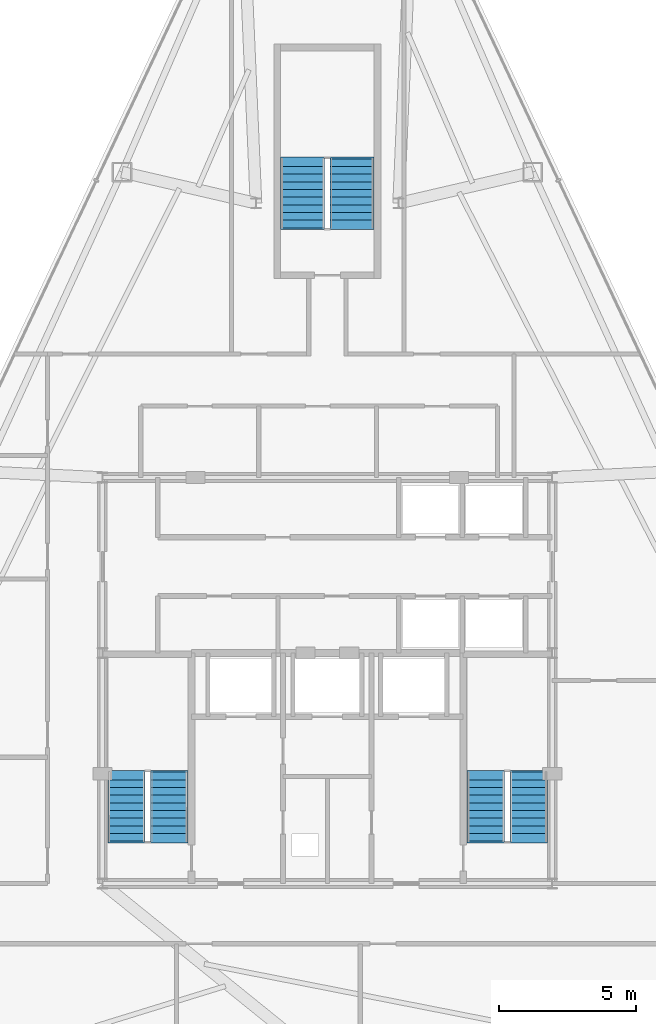
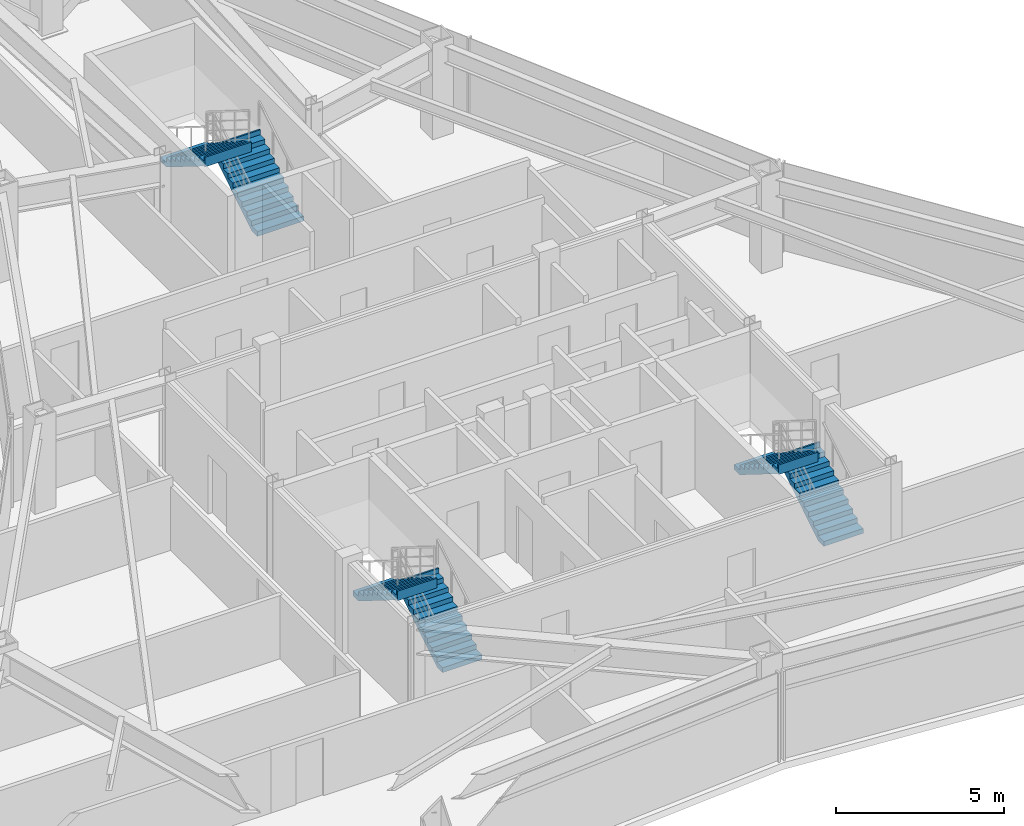
# One storey, part 11 of 12: 6 stair flights, 3 elements without a shape of their own.
"""IFC4 building model written with IfcOpenShell, lengths in metres."""

from ifc_helpers import new_model, si_unit, direction, frame, origin, place, context, subcontext, project, spatial, polyline, outline, extrude, material, type_object, element, aggregate, save


model = new_model("IFC4")

# Units and contexts
model_context = context("Model", 3, precision=1e-05, world=origin(), true_north=direction((0.0, 1.0)))
body_context = subcontext(model_context, "Body", "Model", "MODEL_VIEW")
ifc_project = project(units=[si_unit("LENGTHUNIT", "METRE"), si_unit("AREAUNIT", "SQUARE_METRE"), si_unit("VOLUMEUNIT", "CUBIC_METRE"), si_unit("PLANEANGLEUNIT", "RADIAN"), si_unit("MASSUNIT", "GRAM", prefix="KILO")], contexts=[model_context])

# Site, building, storey
site_placement = place(None, origin())
site = spatial("IfcSite", under=ifc_project, at=site_placement, CompositionType="ELEMENT")
building_placement = place(site_placement, origin())
building = spatial("IfcBuilding", under=site, at=building_placement, Name="Varakhsha Concourse Tower", CompositionType="ELEMENT")
storey_placement = place(building_placement, frame((0.0, 0.0, 229.39990234375)))
storey = spatial("IfcBuildingStorey", under=building, at=storey_placement, Name="L65", CompositionType="ELEMENT", Elevation=229.39990234375)

# Stair, stair flights
ifc_material = material(Name="Concrete fc 45 MPa", Category="concrete")
stair_type_1 = type_object("IfcStairType", Name="ST-DOGLEG-1360", PredefinedType="HALF_TURN_STAIR", material=ifc_material)
stair_1_placement = place(storey_placement, origin())
stair_1 = element("IfcStair", 1, at=stair_1_placement, inside=storey, type_object=stair_type_1, Name="L65 Protected Exit Stair ST1", PredefinedType="HALF_TURN_STAIR")
stair_flight_type_1 = type_object("IfcStairFlightType", Name="STF-1360-R1750", PredefinedType="STRAIGHT", material=ifc_material)
stair_flight_1_placement = place(storey_placement, frame((34.239990234375, 17.93994140625, 0.0), z_axis=(0.0, 0.0, 1.0), x_axis=(0.0, 1.0, 0.0)))
stair_flight_1 = element("IfcStairFlight", 2, at=stair_flight_1_placement, type_object=stair_flight_type_1, Name="ST1 flight 1", NumberOfRisers=10, NumberOfTreads=9, PredefinedType="STRAIGHT", RiserHeight=0.175, TreadLength=0.28, context=body_context, shape_type="SweptSolid", body=[
    extrude(outline(polyline([(-0.06005859375, 0.0), (-0.06005859375, 0.175048828125), (0.0, 0.175048828125), (0.280029296875, 0.175048828125), (0.280029296875, 0.35009765625), (0.56005859375, 0.35009765625), (0.56005859375, 0.52490234375), (0.840087890625, 0.52490234375), (0.840087890625, 0.699951171875), (1.1201171875, 0.699951171875), (1.1201171875, 0.875), (1.39990234375, 0.875), (1.39990234375, 1.050048828125), (1.679931640625, 1.050048828125), (1.679931640625, 1.22509765625), (1.9599609375, 1.22509765625), (1.9599609375, 1.39990234375), (2.239990234375, 1.39990234375), (2.239990234375, 1.574951171875), (2.52001953125, 1.574951171875), (2.52001953125, 1.75), (2.580078125, 1.75), (2.580078125, 1.398193359375), (2.52001953125, 1.398193359375), (0.28271484375, 0.0), (-0.06005859375, 0.0)])), frame((0.0, 0.68017578125, 0.0), z_axis=(0.0, -1.0, 0.0), x_axis=(1.0, 0.0, 0.0)), (0.0, 0.0, 1.0), 1.360107421875),
])
stair_flight_2_placement = place(storey_placement, frame((32.679931640625, 20.4599609375, 1.75), z_axis=(0.0, 0.0, 1.0), x_axis=(0.0, -1.0, 0.0)))
stair_flight_2 = element("IfcStairFlight", 3, at=stair_flight_2_placement, type_object=stair_flight_type_1, Name="ST1 flight 2", NumberOfRisers=10, NumberOfTreads=9, PredefinedType="STRAIGHT", RiserHeight=0.175, TreadLength=0.28, context=body_context, shape_type="SweptSolid", body=[
    extrude(outline(polyline([(-0.06005859375, 0.0), (-0.06005859375, 0.175048828125), (0.0, 0.175048828125), (0.280029296875, 0.175048828125), (0.280029296875, 0.35009765625), (0.56005859375, 0.35009765625), (0.56005859375, 0.52490234375), (0.840087890625, 0.52490234375), (0.840087890625, 0.699951171875), (1.1201171875, 0.699951171875), (1.1201171875, 0.875), (1.39990234375, 0.875), (1.39990234375, 1.050048828125), (1.679931640625, 1.050048828125), (1.679931640625, 1.22509765625), (1.9599609375, 1.22509765625), (1.9599609375, 1.39990234375), (2.239990234375, 1.39990234375), (2.239990234375, 1.574951171875), (2.52001953125, 1.574951171875), (2.52001953125, 1.75), (2.580078125, 1.75), (2.580078125, 1.398193359375), (2.52001953125, 1.398193359375), (0.28271484375, 0.0), (-0.06005859375, 0.0)])), frame((0.0, 0.68017578125, 0.0), z_axis=(0.0, -1.0, 0.0), x_axis=(1.0, 0.0, 0.0)), (0.0, 0.0, 1.0), 1.360107421875),
])
aggregate(stair_1, [stair_flight_1, stair_flight_2])

stair_2_placement = place(storey_placement, origin())
stair_2 = element("IfcStair", 4, at=stair_2_placement, inside=storey, type_object=stair_type_1, Name="L65 Protected Exit Stair ST2", PredefinedType="HALF_TURN_STAIR")
stair_flight_3_placement = place(storey_placement, frame((47.340087890625, 17.93994140625, 0.0), z_axis=(0.0, 0.0, 1.0), x_axis=(0.0, 1.0, 0.0)))
stair_flight_3 = element("IfcStairFlight", 5, at=stair_flight_3_placement, type_object=stair_flight_type_1, Name="ST2 flight 1", NumberOfRisers=10, NumberOfTreads=9, PredefinedType="STRAIGHT", RiserHeight=0.175, TreadLength=0.28, context=body_context, shape_type="SweptSolid", body=[
    extrude(outline(polyline([(-0.06005859375, 0.0), (-0.06005859375, 0.175048828125), (0.0, 0.175048828125), (0.280029296875, 0.175048828125), (0.280029296875, 0.35009765625), (0.56005859375, 0.35009765625), (0.56005859375, 0.52490234375), (0.840087890625, 0.52490234375), (0.840087890625, 0.699951171875), (1.1201171875, 0.699951171875), (1.1201171875, 0.875), (1.39990234375, 0.875), (1.39990234375, 1.050048828125), (1.679931640625, 1.050048828125), (1.679931640625, 1.22509765625), (1.9599609375, 1.22509765625), (1.9599609375, 1.39990234375), (2.239990234375, 1.39990234375), (2.239990234375, 1.574951171875), (2.52001953125, 1.574951171875), (2.52001953125, 1.75), (2.580078125, 1.75), (2.580078125, 1.398193359375), (2.52001953125, 1.398193359375), (0.28271484375, 0.0), (-0.06005859375, 0.0)])), frame((0.0, 0.68017578125, 0.0), z_axis=(0.0, -1.0, 0.0), x_axis=(1.0, 0.0, 0.0)), (0.0, 0.0, 1.0), 1.360107421875),
])
stair_flight_4_placement = place(storey_placement, frame((45.780029296875, 20.4599609375, 1.75), z_axis=(0.0, 0.0, 1.0), x_axis=(0.0, -1.0, 0.0)))
stair_flight_4 = element("IfcStairFlight", 6, at=stair_flight_4_placement, type_object=stair_flight_type_1, Name="ST2 flight 2", NumberOfRisers=10, NumberOfTreads=9, PredefinedType="STRAIGHT", RiserHeight=0.175, TreadLength=0.28, context=body_context, shape_type="SweptSolid", body=[
    extrude(outline(polyline([(-0.06005859375, 0.0), (-0.06005859375, 0.175048828125), (0.0, 0.175048828125), (0.280029296875, 0.175048828125), (0.280029296875, 0.35009765625), (0.56005859375, 0.35009765625), (0.56005859375, 0.52490234375), (0.840087890625, 0.52490234375), (0.840087890625, 0.699951171875), (1.1201171875, 0.699951171875), (1.1201171875, 0.875), (1.39990234375, 0.875), (1.39990234375, 1.050048828125), (1.679931640625, 1.050048828125), (1.679931640625, 1.22509765625), (1.9599609375, 1.22509765625), (1.9599609375, 1.39990234375), (2.239990234375, 1.39990234375), (2.239990234375, 1.574951171875), (2.52001953125, 1.574951171875), (2.52001953125, 1.75), (2.580078125, 1.75), (2.580078125, 1.398193359375), (2.52001953125, 1.398193359375), (0.28271484375, 0.0), (-0.06005859375, 0.0)])), frame((0.0, 0.68017578125, 0.0), z_axis=(0.0, -1.0, 0.0), x_axis=(1.0, 0.0, 0.0)), (0.0, 0.0, 1.0), 1.360107421875),
])
aggregate(stair_2, [stair_flight_3, stair_flight_4])

stair_type_2 = type_object("IfcStairType", Name="ST-DOGLEG-1600", PredefinedType="HALF_TURN_STAIR", material=ifc_material)
stair_3_placement = place(storey_placement, origin())
stair_3 = element("IfcStair", 7, at=stair_3_placement, inside=storey, type_object=stair_type_2, Name="L65 Protected Exit Stair ST5", PredefinedType="HALF_TURN_STAIR")
stair_flight_type_2 = type_object("IfcStairFlightType", Name="STF-1600-R1750", PredefinedType="STRAIGHT", material=ifc_material)
stair_flight_5_placement = place(storey_placement, frame((40.89990234375, 40.300048828125, 0.0), z_axis=(0.0, 0.0, 1.0), x_axis=(0.0, 1.0, 0.0)))
stair_flight_5 = element("IfcStairFlight", 8, at=stair_flight_5_placement, type_object=stair_flight_type_2, Name="ST5 flight 1", NumberOfRisers=10, NumberOfTreads=9, PredefinedType="STRAIGHT", RiserHeight=0.175, TreadLength=0.28, context=body_context, shape_type="SweptSolid", body=[
    extrude(outline(polyline([(-0.06005859375, 0.0), (-0.06005859375, 0.175048828125), (0.0, 0.175048828125), (0.280029296875, 0.175048828125), (0.280029296875, 0.35009765625), (0.56005859375, 0.35009765625), (0.56005859375, 0.52490234375), (0.840087890625, 0.52490234375), (0.840087890625, 0.699951171875), (1.1201171875, 0.699951171875), (1.1201171875, 0.875), (1.39990234375, 0.875), (1.39990234375, 1.050048828125), (1.679931640625, 1.050048828125), (1.679931640625, 1.22509765625), (1.9599609375, 1.22509765625), (1.9599609375, 1.39990234375), (2.239990234375, 1.39990234375), (2.239990234375, 1.574951171875), (2.52001953125, 1.574951171875), (2.52001953125, 1.75), (2.580078125, 1.75), (2.580078125, 1.398193359375), (2.52001953125, 1.398193359375), (0.28271484375, 0.0), (-0.06005859375, 0.0)])), frame((0.0, 0.800048828125, 0.0), z_axis=(0.0, -1.0, 0.0), x_axis=(1.0, 0.0, 0.0)), (0.0, 0.0, 1.0), 1.60009765625),
])
stair_flight_6_placement = place(storey_placement, frame((39.10009765625, 42.820068359375, 1.75), z_axis=(0.0, 0.0, 1.0), x_axis=(0.0, -1.0, 0.0)))
stair_flight_6 = element("IfcStairFlight", 9, at=stair_flight_6_placement, type_object=stair_flight_type_2, Name="ST5 flight 2", NumberOfRisers=10, NumberOfTreads=9, PredefinedType="STRAIGHT", RiserHeight=0.175, TreadLength=0.28, context=body_context, shape_type="SweptSolid", body=[
    extrude(outline(polyline([(-0.06005859375, 0.0), (-0.06005859375, 0.175048828125), (0.0, 0.175048828125), (0.280029296875, 0.175048828125), (0.280029296875, 0.35009765625), (0.56005859375, 0.35009765625), (0.56005859375, 0.52490234375), (0.840087890625, 0.52490234375), (0.840087890625, 0.699951171875), (1.1201171875, 0.699951171875), (1.1201171875, 0.875), (1.39990234375, 0.875), (1.39990234375, 1.050048828125), (1.679931640625, 1.050048828125), (1.679931640625, 1.22509765625), (1.9599609375, 1.22509765625), (1.9599609375, 1.39990234375), (2.239990234375, 1.39990234375), (2.239990234375, 1.574951171875), (2.52001953125, 1.574951171875), (2.52001953125, 1.75), (2.580078125, 1.75), (2.580078125, 1.398193359375), (2.52001953125, 1.398193359375), (0.28271484375, 0.0), (-0.06005859375, 0.0)])), frame((0.0, 0.800048828125, 0.0), z_axis=(0.0, -1.0, 0.0), x_axis=(1.0, 0.0, 0.0)), (0.0, 0.0, 1.0), 1.60009765625),
])
aggregate(stair_3, [stair_flight_5, stair_flight_6])

save(model, "model.ifc")
